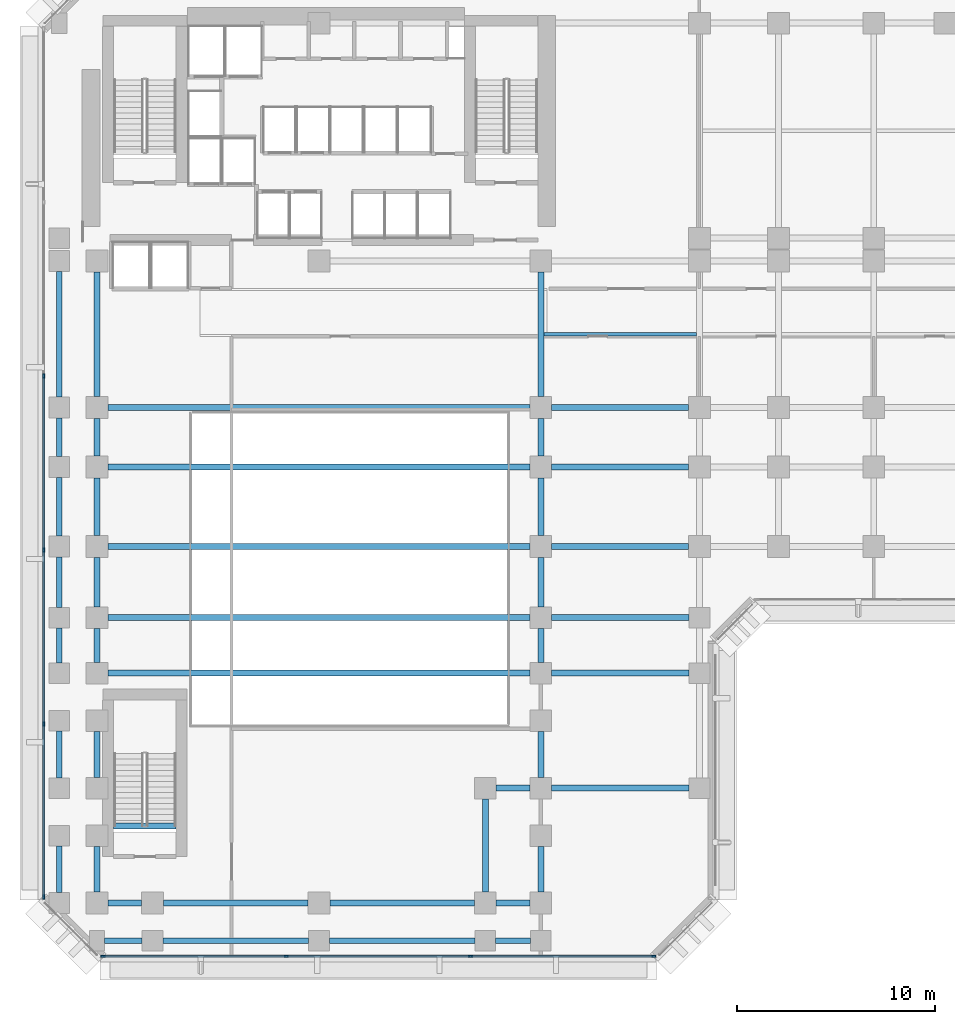
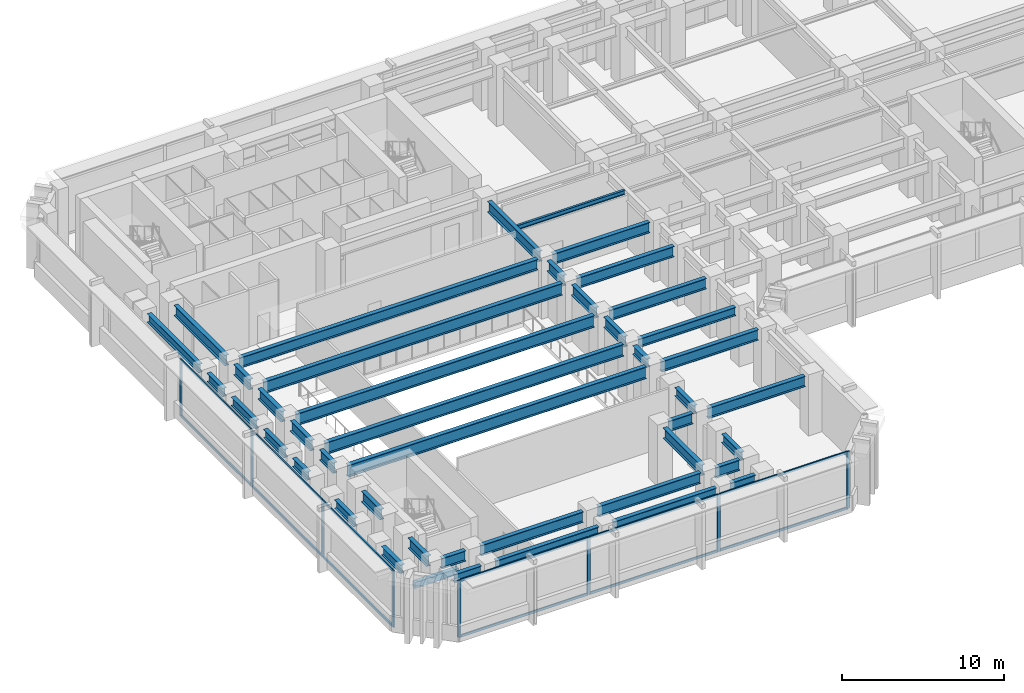
# One storey, part 2 of 16: 44 beams, 20 members, 2 elements without a shape of their own.
"""IFC4 building model written with IfcOpenShell, lengths in metres."""

from ifc_helpers import new_model, si_unit, direction, frame, origin, origin_2d, place, context, subcontext, project, spatial, rectangle, i_section, extrude, material, layer, layer_set, material_profile, profile_set, type_object, element, aggregate, save


model = new_model("IFC4")

# Units and contexts
model_context = context("Model", 3, precision=1e-05, world=origin(), true_north=direction((0.0, 1.0)))
body_context = subcontext(model_context, "Body", "Model", "MODEL_VIEW")
ifc_project = project(units=[si_unit("LENGTHUNIT", "METRE"), si_unit("AREAUNIT", "SQUARE_METRE"), si_unit("VOLUMEUNIT", "CUBIC_METRE"), si_unit("PLANEANGLEUNIT", "RADIAN"), si_unit("MASSUNIT", "GRAM", prefix="KILO")], contexts=[model_context])

# Site, building, storey
site_placement = place(None, origin())
site = spatial("IfcSite", under=ifc_project, at=site_placement, CompositionType="ELEMENT")
building_placement = place(site_placement, origin())
building = spatial("IfcBuilding", under=site, at=building_placement, Name="Kefirva Bronze Tower", CompositionType="ELEMENT")
storey_placement = place(building_placement, frame((0.0, 0.0, 16.5)))
storey = spatial("IfcBuildingStorey", under=building, at=storey_placement, Name="L03", CompositionType="ELEMENT", Elevation=16.5)

# Curtain wall, members
ifc_material_1 = material(Name="Bronze anodised aluminium", Category="aluminium")
ifc_layer = layer(ifc_material_1, 0.239990234375, Name="Bronze anodised aluminium")
ifc_layer_set = layer_set([ifc_layer], Name="Bronze anodised aluminium")
curtain_wall_type = type_object("IfcCurtainWallType", Name="Podium Double-Height Glazed Curtain Wall", PredefinedType="USERDEFINED", material=ifc_layer_set)
curtain_wall_1_placement = place(storey_placement, origin())
curtain_wall_1 = element("IfcCurtainWall", 1, at=curtain_wall_1_placement, inside=storey, type_object=curtain_wall_type, Name="L03 Curtain Wall 1", ObjectType="UNITISED CURTAIN WALL", PredefinedType="USERDEFINED")
ifc_material_profile_1 = material_profile(ifc_material_1, rectangle(XDim=0.090087890625, YDim=0.219970703125, at=origin_2d()), Name="ALU 90x220")
ifc_profile_set_1 = profile_set([ifc_material_profile_1], Name="Bronze anodised aluminium")
member_type_1 = type_object("IfcMemberType", Name="Bronze Mullion 90x220", PredefinedType="MULLION", material=ifc_profile_set_1)
member_1_placement = place(storey_placement, frame((1.10009765625, -1.8798828125, 0.0), z_axis=(0.0, 0.0, 1.0), x_axis=(0.0, 1.0, 0.0)))
member_1 = element("IfcMember", 2, at=member_1_placement, type_object=member_type_1, Name="CW-05 mullion 1", PredefinedType="MULLION", context=body_context, shape_type="SweptSolid", body=[
    extrude(rectangle(XDim=0.090087890625, YDim=0.219970703125, at=origin_2d()), origin(), (0.0, 0.0, 1.0), 4.300048828125),
])
member_2_placement = place(storey_placement, frame((10.3515625, -1.8798828125, 0.0), z_axis=(0.0, 0.0, 1.0), x_axis=(0.0, 1.0, 0.0)))
member_2 = element("IfcMember", 3, at=member_2_placement, type_object=member_type_1, Name="CW-05 mullion 2", PredefinedType="MULLION", context=body_context, shape_type="SweptSolid", body=[
    extrude(rectangle(XDim=0.090087890625, YDim=0.219970703125, at=origin_2d()), origin(), (0.0, 0.0, 1.0), 4.300048828125),
])
member_3_placement = place(storey_placement, frame((19.6484375, -1.8798828125, 0.0), z_axis=(0.0, 0.0, 1.0), x_axis=(0.0, 1.0, 0.0)))
member_3 = element("IfcMember", 4, at=member_3_placement, type_object=member_type_1, Name="CW-05 mullion 3", PredefinedType="MULLION", context=body_context, shape_type="SweptSolid", body=[
    extrude(rectangle(XDim=0.090087890625, YDim=0.219970703125, at=origin_2d()), origin(), (0.0, 0.0, 1.0), 4.300048828125),
])
member_4_placement = place(storey_placement, frame((28.89990234375, -1.8798828125, 0.0), z_axis=(0.0, 0.0, 1.0), x_axis=(0.0, 1.0, 0.0)))
member_4 = element("IfcMember", 5, at=member_4_placement, type_object=member_type_1, Name="CW-05 mullion 4", PredefinedType="MULLION", context=body_context, shape_type="SweptSolid", body=[
    extrude(rectangle(XDim=0.090087890625, YDim=0.219970703125, at=origin_2d()), origin(), (0.0, 0.0, 1.0), 4.300048828125),
])

curtain_wall_2_placement = place(storey_placement, origin())
curtain_wall_2 = element("IfcCurtainWall", 6, at=curtain_wall_2_placement, inside=storey, type_object=curtain_wall_type, Name="L03 Curtain Wall 5", ObjectType="UNITISED CURTAIN WALL", PredefinedType="USERDEFINED")
member_5_placement = place(storey_placement, frame((-1.8798828125, 27.388916015625, 0.0), z_axis=(0.0, 0.0, 1.0), x_axis=(1.0, 0.0, 0.0)))
member_5 = element("IfcMember", 7, at=member_5_placement, type_object=member_type_1, Name="CW-05 mullion 3", PredefinedType="MULLION", context=body_context, shape_type="SweptSolid", body=[
    extrude(rectangle(XDim=0.090087890625, YDim=0.219970703125, at=origin_2d()), origin(), (0.0, 0.0, 1.0), 4.300048828125),
])
member_6_placement = place(storey_placement, frame((-1.8798828125, 18.611083984375, 0.0), z_axis=(0.0, 0.0, 1.0), x_axis=(1.0, 0.0, 0.0)))
member_6 = element("IfcMember", 8, at=member_6_placement, type_object=member_type_1, Name="CW-05 mullion 4", PredefinedType="MULLION", context=body_context, shape_type="SweptSolid", body=[
    extrude(rectangle(XDim=0.090087890625, YDim=0.219970703125, at=origin_2d()), origin(), (0.0, 0.0, 1.0), 4.300048828125),
])
member_7_placement = place(storey_placement, frame((-1.8798828125, 9.8330078125, 0.0), z_axis=(0.0, 0.0, 1.0), x_axis=(1.0, 0.0, 0.0)))
member_7 = element("IfcMember", 9, at=member_7_placement, type_object=member_type_1, Name="CW-05 mullion 5", PredefinedType="MULLION", context=body_context, shape_type="SweptSolid", body=[
    extrude(rectangle(XDim=0.090087890625, YDim=0.219970703125, at=origin_2d()), origin(), (0.0, 0.0, 1.0), 4.300048828125),
])
member_8_placement = place(storey_placement, frame((-1.8798828125, 1.10009765625, 0.0), z_axis=(0.0, 0.0, 1.0), x_axis=(1.0, 0.0, 0.0)))
member_8 = element("IfcMember", 10, at=member_8_placement, type_object=member_type_1, Name="CW-05 mullion 6", PredefinedType="MULLION", context=body_context, shape_type="SweptSolid", body=[
    extrude(rectangle(XDim=0.090087890625, YDim=0.219970703125, at=origin_2d()), origin(), (0.0, 0.0, 1.0), 4.300048828125),
])

# Member
ifc_material_profile_2 = material_profile(ifc_material_1, rectangle(XDim=0.090087890625, YDim=0.179931640625, at=origin_2d()), Name="ALU 90x180")
ifc_profile_set_2 = profile_set([ifc_material_profile_2], Name="Bronze anodised aluminium")
member_type_2 = type_object("IfcMemberType", Name="Bronze Transom 90x180", PredefinedType="USERDEFINED", material=ifc_profile_set_2)
member_9_placement = place(storey_placement, frame((1.14501953125, -1.8798828125, 0.044921875), z_axis=(1.0, 0.0, 0.0), x_axis=(0.0, 1.0, 0.0)))
member_9 = element("IfcMember", 11, at=member_9_placement, type_object=member_type_2, Name="CW-05 transom 1.1", ObjectType="TRANSOM", PredefinedType="USERDEFINED", context=body_context, shape_type="SweptSolid", body=[
    extrude(rectangle(XDim=0.090087890625, YDim=0.179931640625, at=origin_2d()), origin(), (0.0, 0.0, 1.0), 9.16162109375),
])

member_10_placement = place(storey_placement, frame((1.14501953125, -1.8798828125, 4.2548828125), z_axis=(1.0, 0.0, 0.0), x_axis=(0.0, 1.0, 0.0)))
member_10 = element("IfcMember", 12, at=member_10_placement, type_object=member_type_2, Name="CW-05 transom 1.2", ObjectType="TRANSOM", PredefinedType="USERDEFINED", context=body_context, shape_type="SweptSolid", body=[
    extrude(rectangle(XDim=0.090087890625, YDim=0.179931640625, at=origin_2d()), origin(), (0.0, 0.0, 1.0), 9.16162109375),
])

member_11_placement = place(storey_placement, frame((10.396728515625, -1.8798828125, 0.044921875), z_axis=(1.0, 0.0, 0.0), x_axis=(0.0, 1.0, 0.0)))
member_11 = element("IfcMember", 13, at=member_11_placement, type_object=member_type_2, Name="CW-05 transom 2.1", ObjectType="TRANSOM", PredefinedType="USERDEFINED", context=body_context, shape_type="SweptSolid", body=[
    extrude(rectangle(XDim=0.090087890625, YDim=0.179931640625, at=origin_2d()), origin(), (0.0, 0.0, 1.0), 9.20654296875),
])

member_12_placement = place(storey_placement, frame((10.396728515625, -1.8798828125, 4.2548828125), z_axis=(1.0, 0.0, 0.0), x_axis=(0.0, 1.0, 0.0)))
member_12 = element("IfcMember", 14, at=member_12_placement, type_object=member_type_2, Name="CW-05 transom 2.2", ObjectType="TRANSOM", PredefinedType="USERDEFINED", context=body_context, shape_type="SweptSolid", body=[
    extrude(rectangle(XDim=0.090087890625, YDim=0.179931640625, at=origin_2d()), origin(), (0.0, 0.0, 1.0), 9.20654296875),
])

member_13_placement = place(storey_placement, frame((19.693359375, -1.8798828125, 0.044921875), z_axis=(1.0, 0.0, 0.0), x_axis=(0.0, 1.0, 0.0)))
member_13 = element("IfcMember", 15, at=member_13_placement, type_object=member_type_2, Name="CW-05 transom 3.1", ObjectType="TRANSOM", PredefinedType="USERDEFINED", context=body_context, shape_type="SweptSolid", body=[
    extrude(rectangle(XDim=0.090087890625, YDim=0.179931640625, at=origin_2d()), origin(), (0.0, 0.0, 1.0), 9.16162109375),
])

member_14_placement = place(storey_placement, frame((19.693359375, -1.8798828125, 4.2548828125), z_axis=(1.0, 0.0, 0.0), x_axis=(0.0, 1.0, 0.0)))
member_14 = element("IfcMember", 16, at=member_14_placement, type_object=member_type_2, Name="CW-05 transom 3.2", ObjectType="TRANSOM", PredefinedType="USERDEFINED", context=body_context, shape_type="SweptSolid", body=[
    extrude(rectangle(XDim=0.090087890625, YDim=0.179931640625, at=origin_2d()), origin(), (0.0, 0.0, 1.0), 9.16162109375),
])

aggregate(curtain_wall_1, [member_1, member_2, member_3, member_4, member_9, member_10, member_11, member_12, member_13, member_14])

member_15_placement = place(storey_placement, frame((-1.8798828125, 27.343994140625, 0.044921875), z_axis=(0.0, -1.0, 0.0), x_axis=(1.0, 0.0, 0.0)))
member_15 = element("IfcMember", 17, at=member_15_placement, type_object=member_type_2, Name="CW-05 transom 3.1", ObjectType="TRANSOM", PredefinedType="USERDEFINED", context=body_context, shape_type="SweptSolid", body=[
    extrude(rectangle(XDim=0.090087890625, YDim=0.179931640625, at=origin_2d()), origin(), (0.0, 0.0, 1.0), 8.68798828125),
])

member_16_placement = place(storey_placement, frame((-1.8798828125, 27.343994140625, 4.2548828125), z_axis=(0.0, -1.0, 0.0), x_axis=(1.0, 0.0, 0.0)))
member_16 = element("IfcMember", 18, at=member_16_placement, type_object=member_type_2, Name="CW-05 transom 3.2", ObjectType="TRANSOM", PredefinedType="USERDEFINED", context=body_context, shape_type="SweptSolid", body=[
    extrude(rectangle(XDim=0.090087890625, YDim=0.179931640625, at=origin_2d()), origin(), (0.0, 0.0, 1.0), 8.68798828125),
])

member_17_placement = place(storey_placement, frame((-1.8798828125, 18.56591796875, 0.044921875), z_axis=(0.0, -1.0, 0.0), x_axis=(1.0, 0.0, 0.0)))
member_17 = element("IfcMember", 19, at=member_17_placement, type_object=member_type_2, Name="CW-05 transom 4.1", ObjectType="TRANSOM", PredefinedType="USERDEFINED", context=body_context, shape_type="SweptSolid", body=[
    extrude(rectangle(XDim=0.090087890625, YDim=0.179931640625, at=origin_2d()), origin(), (0.0, 0.0, 1.0), 8.68798828125),
])

member_18_placement = place(storey_placement, frame((-1.8798828125, 18.56591796875, 4.2548828125), z_axis=(0.0, -1.0, 0.0), x_axis=(1.0, 0.0, 0.0)))
member_18 = element("IfcMember", 20, at=member_18_placement, type_object=member_type_2, Name="CW-05 transom 4.2", ObjectType="TRANSOM", PredefinedType="USERDEFINED", context=body_context, shape_type="SweptSolid", body=[
    extrude(rectangle(XDim=0.090087890625, YDim=0.179931640625, at=origin_2d()), origin(), (0.0, 0.0, 1.0), 8.68798828125),
])

member_19_placement = place(storey_placement, frame((-1.8798828125, 9.7880859375, 0.044921875), z_axis=(0.0, -1.0, 0.0), x_axis=(1.0, 0.0, 0.0)))
member_19 = element("IfcMember", 21, at=member_19_placement, type_object=member_type_2, Name="CW-05 transom 5.1", ObjectType="TRANSOM", PredefinedType="USERDEFINED", context=body_context, shape_type="SweptSolid", body=[
    extrude(rectangle(XDim=0.090087890625, YDim=0.179931640625, at=origin_2d()), origin(), (0.0, 0.0, 1.0), 8.64306640625),
])

member_20_placement = place(storey_placement, frame((-1.8798828125, 9.7880859375, 4.2548828125), z_axis=(0.0, -1.0, 0.0), x_axis=(1.0, 0.0, 0.0)))
member_20 = element("IfcMember", 22, at=member_20_placement, type_object=member_type_2, Name="CW-05 transom 5.2", ObjectType="TRANSOM", PredefinedType="USERDEFINED", context=body_context, shape_type="SweptSolid", body=[
    extrude(rectangle(XDim=0.090087890625, YDim=0.179931640625, at=origin_2d()), origin(), (0.0, 0.0, 1.0), 8.64306640625),
])

aggregate(curtain_wall_2, [member_5, member_6, member_7, member_8, member_15, member_16, member_17, member_18, member_19, member_20])

# Beams
ifc_material_2 = material(Name="Concrete C50/60", Category="concrete")
ifc_material_profile_3 = material_profile(ifc_material_2, rectangle(XDim=0.300048828125, YDim=0.449951171875, at=origin_2d()), Name="RC 300x450")
ifc_profile_set_3 = profile_set([ifc_material_profile_3], Name="Concrete C50/60")
beam_type_1 = type_object("IfcBeamType", Name="RC Stair Trimmer Beam 300x450", PredefinedType="BEAM", material=ifc_profile_set_3)
beam_1_placement = place(storey_placement, frame((1.64501953125, 4.699951171875, -0.22509765625), z_axis=(1.0, 0.0, 0.0), x_axis=(0.0, 1.0, 0.0)))
element("IfcBeam", 23, at=beam_1_placement, inside=storey, type_object=beam_type_1, Name="L03 Stair 3 Landing Trimmer Beam", PredefinedType="BEAM", context=body_context, shape_type="SweptSolid", body=[
    extrude(rectangle(XDim=0.300048828125, YDim=0.449951171875, at=origin_2d()), origin(), (0.0, 0.0, 1.0), 3.14990234375),
])
ifc_material_3 = material(Name="Steel S355", Category="steel")
ifc_material_profile_4 = material_profile(ifc_material_3, i_section(OverallWidth=0.159912109375, OverallDepth=0.330078125, WebThickness=0.007568359375, FlangeThickness=0.011474609375, at=origin_2d()), Name="IPE 330")
ifc_profile_set_4 = profile_set([ifc_material_profile_4], Name="Steel S355")
beam_type_2 = type_object("IfcBeamType", Name="Steel Floor Joist IPE 330", PredefinedType="JOIST", material=ifc_profile_set_4)
beam_2_placement = place(storey_placement, frame((23.35009765625, 29.5, 4.135009765625), z_axis=(1.0, 0.0, 0.0), x_axis=(0.0, 1.0, 0.0)))
element("IfcBeam", 24, at=beam_2_placement, inside=storey, type_object=beam_type_2, Name="L03 JST-L03-23-295", PredefinedType="JOIST", context=body_context, shape_type="SweptSolid", body=[
    extrude(i_section(OverallWidth=0.159912109375, OverallDepth=0.330078125, WebThickness=0.007568359375, FlangeThickness=0.011474609375, at=origin_2d()), origin(), (0.0, 0.0, 1.0), 7.699951171875),
])
ifc_material_profile_5 = material_profile(ifc_material_3, i_section(OverallWidth=0.300048828125, OverallDepth=0.800048828125, WebThickness=0.017578125, FlangeThickness=0.032958984375, at=origin_2d()), Name="HEB 800")
ifc_profile_set_5 = profile_set([ifc_material_profile_5], Name="Steel S355")
beam_type_3 = type_object("IfcBeamType", Name="Steel Girder HEB 800", PredefinedType="USERDEFINED", material=ifc_profile_set_5)
beam_3_placement = place(storey_placement, frame((1.35009765625, 0.800048828125, 3.89990234375), z_axis=(1.0, 0.0, 0.0), x_axis=(0.0, 1.0, 0.0)))
element("IfcBeam", 25, at=beam_3_placement, inside=storey, type_object=beam_type_3, Name="L03 BM-L03-EW-0-8", ObjectType="GIRDER", PredefinedType="USERDEFINED", context=body_context, shape_type="SweptSolid", body=[
    extrude(i_section(OverallWidth=0.300048828125, OverallDepth=0.800048828125, WebThickness=0.017578125, FlangeThickness=0.032958984375, at=origin_2d()), origin(), (0.0, 0.0, 1.0), 1.699951171875),
])
for number, where, z_axis, x_axis, name in (
    (26, (4.14990234375, 0.800048828125, 3.89990234375), (1.0, 0.0, 0.0), (0.0, 1.0, 0.0), "L03 BM-L03-EW-3-8"),
    (27, (12.550048828125, 0.800048828125, 3.89990234375), (1.0, 0.0, 0.0), (0.0, 1.0, 0.0), "L03 BM-L03-EW-12-8"),
):
    element("IfcBeam", number, at=place(storey_placement, frame(where, z_axis=z_axis, x_axis=x_axis)), inside=storey, type_object=beam_type_3, Name=name, ObjectType="GIRDER", PredefinedType="USERDEFINED", context=body_context, shape_type="SweptSolid", body=[
        extrude(i_section(OverallWidth=0.300048828125, OverallDepth=0.800048828125, WebThickness=0.017578125, FlangeThickness=0.032958984375, at=origin_2d()), origin(), (0.0, 0.0, 1.0), 7.300048828125),
    ])
for number, where, z_axis, x_axis, name in (
    (28, (20.949951171875, 0.800048828125, 3.89990234375), (1.0, 0.0, 0.0), (0.0, 1.0, 0.0), "L03 BM-L03-EW-20-8"),
    (29, (20.949951171875, 6.60009765625, 3.89990234375), (1.0, 0.0, 0.0), (0.0, 1.0, 0.0), "L03 BM-L03-EW-20-66"),
):
    element("IfcBeam", number, at=place(storey_placement, frame(where, z_axis=z_axis, x_axis=x_axis)), inside=storey, type_object=beam_type_3, Name=name, ObjectType="GIRDER", PredefinedType="USERDEFINED", context=body_context, shape_type="SweptSolid", body=[
        extrude(i_section(OverallWidth=0.300048828125, OverallDepth=0.800048828125, WebThickness=0.017578125, FlangeThickness=0.032958984375, at=origin_2d()), origin(), (0.0, 0.0, 1.0), 1.699951171875),
    ])
for number, where, z_axis, x_axis, name in (
    (30, (23.75, 6.60009765625, 3.89990234375), (1.0, 0.0, 0.0), (0.0, 1.0, 0.0), "L03 BM-L03-EW-23-66"),
    (31, (23.75, 12.39990234375, 3.89990234375), (1.0, 0.0, 0.0), (0.0, 1.0, 0.0), "L03 BM-L03-EW-23-124"),
):
    element("IfcBeam", number, at=place(storey_placement, frame(where, z_axis=z_axis, x_axis=x_axis)), inside=storey, type_object=beam_type_3, Name=name, ObjectType="GIRDER", PredefinedType="USERDEFINED", context=body_context, shape_type="SweptSolid", body=[
        extrude(i_section(OverallWidth=0.300048828125, OverallDepth=0.800048828125, WebThickness=0.017578125, FlangeThickness=0.032958984375, at=origin_2d()), origin(), (0.0, 0.0, 1.0), 6.925048828125),
    ])
for number, where, z_axis, x_axis, name in (
    (32, (23.75, 18.800048828125, 3.89990234375), (1.0, 0.0, 0.0), (0.0, 1.0, 0.0), "L03 BM-L03-EW-23-188"),
    (33, (23.75, 22.800048828125, 3.89990234375), (1.0, 0.0, 0.0), (0.0, 1.0, 0.0), "L03 BM-L03-EW-23-228"),
):
    element("IfcBeam", number, at=place(storey_placement, frame(where, z_axis=z_axis, x_axis=x_axis)), inside=storey, type_object=beam_type_3, Name=name, ObjectType="GIRDER", PredefinedType="USERDEFINED", context=body_context, shape_type="SweptSolid", body=[
        extrude(i_section(OverallWidth=0.300048828125, OverallDepth=0.800048828125, WebThickness=0.017578125, FlangeThickness=0.032958984375, at=origin_2d()), origin(), (0.0, 0.0, 1.0), 6.89990234375),
    ])
beam_4_placement = place(storey_placement, frame((1.35009765625, 25.800048828125, 3.89990234375), z_axis=(1.0, 0.0, 0.0), x_axis=(0.0, 1.0, 0.0)))
element("IfcBeam", 34, at=beam_4_placement, inside=storey, type_object=beam_type_3, Name="L03 BM-L03-EW-0-258", ObjectType="GIRDER", PredefinedType="USERDEFINED", context=body_context, shape_type="SweptSolid", body=[
    extrude(i_section(OverallWidth=0.300048828125, OverallDepth=0.800048828125, WebThickness=0.017578125, FlangeThickness=0.032958984375, at=origin_2d()), origin(), (0.0, 0.0, 1.0), 21.2998046875),
])
beam_5_placement = place(storey_placement, frame((23.75, 25.800048828125, 3.89990234375), z_axis=(1.0, 0.0, 0.0), x_axis=(0.0, 1.0, 0.0)))
element("IfcBeam", 35, at=beam_5_placement, inside=storey, type_object=beam_type_3, Name="L03 BM-L03-EW-23-258", ObjectType="GIRDER", PredefinedType="USERDEFINED", context=body_context, shape_type="SweptSolid", body=[
    extrude(i_section(OverallWidth=0.300048828125, OverallDepth=0.800048828125, WebThickness=0.017578125, FlangeThickness=0.032958984375, at=origin_2d()), origin(), (0.0, 0.0, 1.0), 6.89990234375),
])
beam_6_placement = place(storey_placement, frame((0.800048828125, 1.35009765625, 3.89990234375), z_axis=(0.0, 1.0, 0.0), x_axis=(-1.0, 0.0, 0.0)))
element("IfcBeam", 36, at=beam_6_placement, inside=storey, type_object=beam_type_3, Name="L03 BM-L03-NS-8-0", ObjectType="GIRDER", PredefinedType="USERDEFINED", context=body_context, shape_type="SweptSolid", body=[
    extrude(i_section(OverallWidth=0.300048828125, OverallDepth=0.800048828125, WebThickness=0.017578125, FlangeThickness=0.032958984375, at=origin_2d()), origin(), (0.0, 0.0, 1.0), 2.2998046875),
])
beam_7_placement = place(storey_placement, frame((0.800048828125, 7.14990234375, 3.89990234375), z_axis=(0.0, 1.0, 0.0), x_axis=(-1.0, 0.0, 0.0)))
element("IfcBeam", 37, at=beam_7_placement, inside=storey, type_object=beam_type_3, Name="L03 BM-L03-NS-8-6", ObjectType="GIRDER", PredefinedType="USERDEFINED", context=body_context, shape_type="SweptSolid", body=[
    extrude(i_section(OverallWidth=0.300048828125, OverallDepth=0.800048828125, WebThickness=0.017578125, FlangeThickness=0.032958984375, at=origin_2d()), origin(), (0.0, 0.0, 1.0), 2.300048828125),
])
beam_8_placement = place(storey_placement, frame((0.800048828125, 12.949951171875, 3.89990234375), z_axis=(0.0, 1.0, 0.0), x_axis=(-1.0, 0.0, 0.0)))
element("IfcBeam", 38, at=beam_8_placement, inside=storey, type_object=beam_type_3, Name="L03 BM-L03-NS-8-12", ObjectType="GIRDER", PredefinedType="USERDEFINED", context=body_context, shape_type="SweptSolid", body=[
    extrude(i_section(OverallWidth=0.300048828125, OverallDepth=0.800048828125, WebThickness=0.017578125, FlangeThickness=0.032958984375, at=origin_2d()), origin(), (0.0, 0.0, 1.0), 1.699951171875),
])
beam_9_placement = place(storey_placement, frame((0.800048828125, 15.75, 3.89990234375), z_axis=(0.0, 1.0, 0.0), x_axis=(-1.0, 0.0, 0.0)))
element("IfcBeam", 39, at=beam_9_placement, inside=storey, type_object=beam_type_3, Name="L03 BM-L03-NS-8-15", ObjectType="GIRDER", PredefinedType="USERDEFINED", context=body_context, shape_type="SweptSolid", body=[
    extrude(i_section(OverallWidth=0.300048828125, OverallDepth=0.800048828125, WebThickness=0.017578125, FlangeThickness=0.032958984375, at=origin_2d()), origin(), (0.0, 0.0, 1.0), 2.5),
])
beam_10_placement = place(storey_placement, frame((0.800048828125, 19.35009765625, 3.89990234375), z_axis=(0.0, 1.0, 0.0), x_axis=(-1.0, 0.0, 0.0)))
element("IfcBeam", 40, at=beam_10_placement, inside=storey, type_object=beam_type_3, Name="L03 BM-L03-NS-8-18", ObjectType="GIRDER", PredefinedType="USERDEFINED", context=body_context, shape_type="SweptSolid", body=[
    extrude(i_section(OverallWidth=0.300048828125, OverallDepth=0.800048828125, WebThickness=0.017578125, FlangeThickness=0.032958984375, at=origin_2d()), origin(), (0.0, 0.0, 1.0), 2.89990234375),
])
beam_11_placement = place(storey_placement, frame((0.800048828125, 23.35009765625, 3.89990234375), z_axis=(0.0, 1.0, 0.0), x_axis=(-1.0, 0.0, 0.0)))
element("IfcBeam", 41, at=beam_11_placement, inside=storey, type_object=beam_type_3, Name="L03 BM-L03-NS-8-22", ObjectType="GIRDER", PredefinedType="USERDEFINED", context=body_context, shape_type="SweptSolid", body=[
    extrude(i_section(OverallWidth=0.300048828125, OverallDepth=0.800048828125, WebThickness=0.017578125, FlangeThickness=0.032958984375, at=origin_2d()), origin(), (0.0, 0.0, 1.0), 1.89990234375),
])
beam_12_placement = place(storey_placement, frame((0.800048828125, 26.35009765625, 3.89990234375), z_axis=(0.0, 1.0, 0.0), x_axis=(-1.0, 0.0, 0.0)))
element("IfcBeam", 42, at=beam_12_placement, inside=storey, type_object=beam_type_3, Name="L03 BM-L03-NS-8-25", ObjectType="GIRDER", PredefinedType="USERDEFINED", context=body_context, shape_type="SweptSolid", body=[
    extrude(i_section(OverallWidth=0.300048828125, OverallDepth=0.800048828125, WebThickness=0.017578125, FlangeThickness=0.032958984375, at=origin_2d()), origin(), (0.0, 0.0, 1.0), 6.2998046875),
])
beam_13_placement = place(storey_placement, frame((20.39990234375, 1.35009765625, 3.89990234375), z_axis=(0.0, 1.0, 0.0), x_axis=(-1.0, 0.0, 0.0)))
element("IfcBeam", 43, at=beam_13_placement, inside=storey, type_object=beam_type_3, Name="L03 BM-L03-NS-204-0", ObjectType="GIRDER", PredefinedType="USERDEFINED", context=body_context, shape_type="SweptSolid", body=[
    extrude(i_section(OverallWidth=0.300048828125, OverallDepth=0.800048828125, WebThickness=0.017578125, FlangeThickness=0.032958984375, at=origin_2d()), origin(), (0.0, 0.0, 1.0), 4.699951171875),
])
beam_14_placement = place(storey_placement, frame((23.199951171875, 15.75, 3.89990234375), z_axis=(0.0, 1.0, 0.0), x_axis=(-1.0, 0.0, 0.0)))
element("IfcBeam", 44, at=beam_14_placement, inside=storey, type_object=beam_type_3, Name="L03 BM-L03-NS-232-15", ObjectType="GIRDER", PredefinedType="USERDEFINED", context=body_context, shape_type="SweptSolid", body=[
    extrude(i_section(OverallWidth=0.300048828125, OverallDepth=0.800048828125, WebThickness=0.017578125, FlangeThickness=0.032958984375, at=origin_2d()), origin(), (0.0, 0.0, 1.0), 2.5),
])
beam_15_placement = place(storey_placement, frame((23.199951171875, 19.35009765625, 3.89990234375), z_axis=(0.0, 1.0, 0.0), x_axis=(-1.0, 0.0, 0.0)))
element("IfcBeam", 45, at=beam_15_placement, inside=storey, type_object=beam_type_3, Name="L03 BM-L03-NS-232-18", ObjectType="GIRDER", PredefinedType="USERDEFINED", context=body_context, shape_type="SweptSolid", body=[
    extrude(i_section(OverallWidth=0.300048828125, OverallDepth=0.800048828125, WebThickness=0.017578125, FlangeThickness=0.032958984375, at=origin_2d()), origin(), (0.0, 0.0, 1.0), 2.89990234375),
])
beam_16_placement = place(storey_placement, frame((23.199951171875, 23.35009765625, 3.89990234375), z_axis=(0.0, 1.0, 0.0), x_axis=(-1.0, 0.0, 0.0)))
element("IfcBeam", 46, at=beam_16_placement, inside=storey, type_object=beam_type_3, Name="L03 BM-L03-NS-232-22", ObjectType="GIRDER", PredefinedType="USERDEFINED", context=body_context, shape_type="SweptSolid", body=[
    extrude(i_section(OverallWidth=0.300048828125, OverallDepth=0.800048828125, WebThickness=0.017578125, FlangeThickness=0.032958984375, at=origin_2d()), origin(), (0.0, 0.0, 1.0), 1.89990234375),
])
beam_17_placement = place(storey_placement, frame((23.199951171875, 26.35009765625, 3.89990234375), z_axis=(0.0, 1.0, 0.0), x_axis=(-1.0, 0.0, 0.0)))
element("IfcBeam", 47, at=beam_17_placement, inside=storey, type_object=beam_type_3, Name="L03 BM-L03-NS-232-25", ObjectType="GIRDER", PredefinedType="USERDEFINED", context=body_context, shape_type="SweptSolid", body=[
    extrude(i_section(OverallWidth=0.300048828125, OverallDepth=0.800048828125, WebThickness=0.017578125, FlangeThickness=0.032958984375, at=origin_2d()), origin(), (0.0, 0.0, 1.0), 6.2998046875),
])
ifc_material_4 = material(Name="Steel S460", Category="steel")
ifc_material_profile_6 = material_profile(ifc_material_4, i_section(OverallWidth=0.300048828125, OverallDepth=0.89990234375, WebThickness=0.0185546875, FlangeThickness=0.034912109375, at=origin_2d()), Name="HEB 900")
ifc_profile_set_6 = profile_set([ifc_material_profile_6], Name="Steel S460")
beam_type_4 = type_object("IfcBeamType", Name="Steel Girder HEB 900", PredefinedType="USERDEFINED", material=ifc_profile_set_6)
for number, where, z_axis, x_axis, name in (
    (48, (1.35009765625, 12.39990234375, 3.85009765625), (1.0, 0.0, 0.0), (0.0, 1.0, 0.0), "L03 BM-L03-AUD-124"),
    (49, (1.35009765625, 15.199951171875, 3.85009765625), (1.0, 0.0, 0.0), (0.0, 1.0, 0.0), "L03 BM-L03-AUD-152"),
    (50, (1.35009765625, 18.800048828125, 3.85009765625), (1.0, 0.0, 0.0), (0.0, 1.0, 0.0), "L03 BM-L03-AUD-188"),
    (51, (1.35009765625, 22.800048828125, 3.85009765625), (1.0, 0.0, 0.0), (0.0, 1.0, 0.0), "L03 BM-L03-AUD-228"),
):
    element("IfcBeam", number, at=place(storey_placement, frame(where, z_axis=z_axis, x_axis=x_axis)), inside=storey, type_object=beam_type_4, Name=name, ObjectType="GIRDER", PredefinedType="USERDEFINED", context=body_context, shape_type="SweptSolid", body=[
        extrude(i_section(OverallWidth=0.300048828125, OverallDepth=0.89990234375, WebThickness=0.0185546875, FlangeThickness=0.034912109375, at=origin_2d()), origin(), (0.0, 0.0, 1.0), 21.2998046875),
    ])
ifc_material_profile_7 = material_profile(ifc_material_3, i_section(OverallWidth=0.300048828125, OverallDepth=0.64990234375, WebThickness=0.01611328125, FlangeThickness=0.031005859375, at=origin_2d()), Name="HEB 650")
ifc_profile_set_7 = profile_set([ifc_material_profile_7], Name="Steel S355")
beam_type_5 = type_object("IfcBeamType", Name="Steel Spandrel HEB 650 Ext", PredefinedType="SPANDREL", material=ifc_profile_set_7)
beam_18_placement = place(storey_placement, frame((1.179931640625, -1.10009765625, 3.97509765625), z_axis=(1.0, 0.0, 0.0), x_axis=(0.0, 1.0, 0.0)))
element("IfcBeam", 52, at=beam_18_placement, inside=storey, type_object=beam_type_5, Name="L03 BM-L03-EW-0--11", PredefinedType="SPANDREL", context=body_context, shape_type="SweptSolid", body=[
    extrude(i_section(OverallWidth=0.300048828125, OverallDepth=0.64990234375, WebThickness=0.01611328125, FlangeThickness=0.031005859375, at=origin_2d()), origin(), (0.0, 0.0, 1.0), 1.89501953125),
])
for number, where, z_axis, x_axis, name in (
    (53, (4.125, -1.10009765625, 3.97509765625), (1.0, 0.0, 0.0), (0.0, 1.0, 0.0), "L03 BM-L03-EW-3--11"),
    (54, (12.52490234375, -1.10009765625, 3.97509765625), (1.0, 0.0, 0.0), (0.0, 1.0, 0.0), "L03 BM-L03-EW-12--11"),
):
    element("IfcBeam", number, at=place(storey_placement, frame(where, z_axis=z_axis, x_axis=x_axis)), inside=storey, type_object=beam_type_5, Name=name, PredefinedType="SPANDREL", context=body_context, shape_type="SweptSolid", body=[
        extrude(i_section(OverallWidth=0.300048828125, OverallDepth=0.64990234375, WebThickness=0.01611328125, FlangeThickness=0.031005859375, at=origin_2d()), origin(), (0.0, 0.0, 1.0), 7.35009765625),
    ])
beam_19_placement = place(storey_placement, frame((20.925048828125, -1.10009765625, 3.97509765625), z_axis=(1.0, 0.0, 0.0), x_axis=(0.0, 1.0, 0.0)))
element("IfcBeam", 55, at=beam_19_placement, inside=storey, type_object=beam_type_5, Name="L03 BM-L03-EW-20--11", PredefinedType="SPANDREL", context=body_context, shape_type="SweptSolid", body=[
    extrude(i_section(OverallWidth=0.300048828125, OverallDepth=0.64990234375, WebThickness=0.01611328125, FlangeThickness=0.031005859375, at=origin_2d()), origin(), (0.0, 0.0, 1.0), 1.75),
])
beam_20_placement = place(storey_placement, frame((23.75, 15.199951171875, 3.97509765625), z_axis=(1.0, 0.0, 0.0), x_axis=(0.0, 1.0, 0.0)))
element("IfcBeam", 56, at=beam_20_placement, inside=storey, type_object=beam_type_5, Name="L03 BM-L03-EW-23-152", PredefinedType="SPANDREL", context=body_context, shape_type="SweptSolid", body=[
    extrude(i_section(OverallWidth=0.300048828125, OverallDepth=0.64990234375, WebThickness=0.01611328125, FlangeThickness=0.031005859375, at=origin_2d()), origin(), (0.0, 0.0, 1.0), 6.925048828125),
])
for number, where, z_axis, x_axis, name in (
    (57, (-1.10009765625, 1.324951171875, 3.97509765625), (0.0, 1.0, 0.0), (-1.0, 0.0, 0.0), "L03 BM-L03-NS--11-0"),
    (58, (-1.10009765625, 7.125, 3.97509765625), (0.0, 1.0, 0.0), (-1.0, 0.0, 0.0), "L03 BM-L03-NS--11-6"),
):
    element("IfcBeam", number, at=place(storey_placement, frame(where, z_axis=z_axis, x_axis=x_axis)), inside=storey, type_object=beam_type_5, Name=name, PredefinedType="SPANDREL", context=body_context, shape_type="SweptSolid", body=[
        extrude(i_section(OverallWidth=0.300048828125, OverallDepth=0.64990234375, WebThickness=0.01611328125, FlangeThickness=0.031005859375, at=origin_2d()), origin(), (0.0, 0.0, 1.0), 2.35009765625),
    ])
beam_21_placement = place(storey_placement, frame((-1.10009765625, 12.925048828125, 3.97509765625), z_axis=(0.0, 1.0, 0.0), x_axis=(-1.0, 0.0, 0.0)))
element("IfcBeam", 59, at=beam_21_placement, inside=storey, type_object=beam_type_5, Name="L03 BM-L03-NS--11-12", PredefinedType="SPANDREL", context=body_context, shape_type="SweptSolid", body=[
    extrude(i_section(OverallWidth=0.300048828125, OverallDepth=0.64990234375, WebThickness=0.01611328125, FlangeThickness=0.031005859375, at=origin_2d()), origin(), (0.0, 0.0, 1.0), 1.75),
])
beam_22_placement = place(storey_placement, frame((-1.10009765625, 15.72509765625, 3.97509765625), z_axis=(0.0, 1.0, 0.0), x_axis=(-1.0, 0.0, 0.0)))
element("IfcBeam", 60, at=beam_22_placement, inside=storey, type_object=beam_type_5, Name="L03 BM-L03-NS--11-15", PredefinedType="SPANDREL", context=body_context, shape_type="SweptSolid", body=[
    extrude(i_section(OverallWidth=0.300048828125, OverallDepth=0.64990234375, WebThickness=0.01611328125, FlangeThickness=0.031005859375, at=origin_2d()), origin(), (0.0, 0.0, 1.0), 2.5498046875),
])
beam_23_placement = place(storey_placement, frame((-1.10009765625, 19.324951171875, 3.97509765625), z_axis=(0.0, 1.0, 0.0), x_axis=(-1.0, 0.0, 0.0)))
element("IfcBeam", 61, at=beam_23_placement, inside=storey, type_object=beam_type_5, Name="L03 BM-L03-NS--11-18", PredefinedType="SPANDREL", context=body_context, shape_type="SweptSolid", body=[
    extrude(i_section(OverallWidth=0.300048828125, OverallDepth=0.64990234375, WebThickness=0.01611328125, FlangeThickness=0.031005859375, at=origin_2d()), origin(), (0.0, 0.0, 1.0), 2.949951171875),
])
beam_24_placement = place(storey_placement, frame((-1.10009765625, 23.324951171875, 3.97509765625), z_axis=(0.0, 1.0, 0.0), x_axis=(-1.0, 0.0, 0.0)))
element("IfcBeam", 62, at=beam_24_placement, inside=storey, type_object=beam_type_5, Name="L03 BM-L03-NS--11-22", PredefinedType="SPANDREL", context=body_context, shape_type="SweptSolid", body=[
    extrude(i_section(OverallWidth=0.300048828125, OverallDepth=0.64990234375, WebThickness=0.01611328125, FlangeThickness=0.031005859375, at=origin_2d()), origin(), (0.0, 0.0, 1.0), 1.949951171875),
])
beam_25_placement = place(storey_placement, frame((-1.10009765625, 26.324951171875, 3.97509765625), z_axis=(0.0, 1.0, 0.0), x_axis=(-1.0, 0.0, 0.0)))
element("IfcBeam", 63, at=beam_25_placement, inside=storey, type_object=beam_type_5, Name="L03 BM-L03-NS--11-25", PredefinedType="SPANDREL", context=body_context, shape_type="SweptSolid", body=[
    extrude(i_section(OverallWidth=0.300048828125, OverallDepth=0.64990234375, WebThickness=0.01611328125, FlangeThickness=0.031005859375, at=origin_2d()), origin(), (0.0, 0.0, 1.0), 6.35009765625),
])
beam_26_placement = place(storey_placement, frame((23.199951171875, 1.35009765625, 3.97509765625), z_axis=(0.0, 1.0, 0.0), x_axis=(-1.0, 0.0, 0.0)))
element("IfcBeam", 64, at=beam_26_placement, inside=storey, type_object=beam_type_5, Name="L03 BM-L03-NS-232-0", PredefinedType="SPANDREL", context=body_context, shape_type="SweptSolid", body=[
    extrude(i_section(OverallWidth=0.300048828125, OverallDepth=0.64990234375, WebThickness=0.01611328125, FlangeThickness=0.031005859375, at=origin_2d()), origin(), (0.0, 0.0, 1.0), 2.2998046875),
])
beam_27_placement = place(storey_placement, frame((23.199951171875, 7.14990234375, 3.97509765625), z_axis=(0.0, 1.0, 0.0), x_axis=(-1.0, 0.0, 0.0)))
element("IfcBeam", 65, at=beam_27_placement, inside=storey, type_object=beam_type_5, Name="L03 BM-L03-NS-232-6", PredefinedType="SPANDREL", context=body_context, shape_type="SweptSolid", body=[
    extrude(i_section(OverallWidth=0.300048828125, OverallDepth=0.64990234375, WebThickness=0.01611328125, FlangeThickness=0.031005859375, at=origin_2d()), origin(), (0.0, 0.0, 1.0), 2.300048828125),
])
beam_28_placement = place(storey_placement, frame((23.199951171875, 12.949951171875, 3.97509765625), z_axis=(0.0, 1.0, 0.0), x_axis=(-1.0, 0.0, 0.0)))
element("IfcBeam", 66, at=beam_28_placement, inside=storey, type_object=beam_type_5, Name="L03 BM-L03-NS-232-12", PredefinedType="SPANDREL", context=body_context, shape_type="SweptSolid", body=[
    extrude(i_section(OverallWidth=0.300048828125, OverallDepth=0.64990234375, WebThickness=0.01611328125, FlangeThickness=0.031005859375, at=origin_2d()), origin(), (0.0, 0.0, 1.0), 1.699951171875),
])

save(model, "model.ifc")
